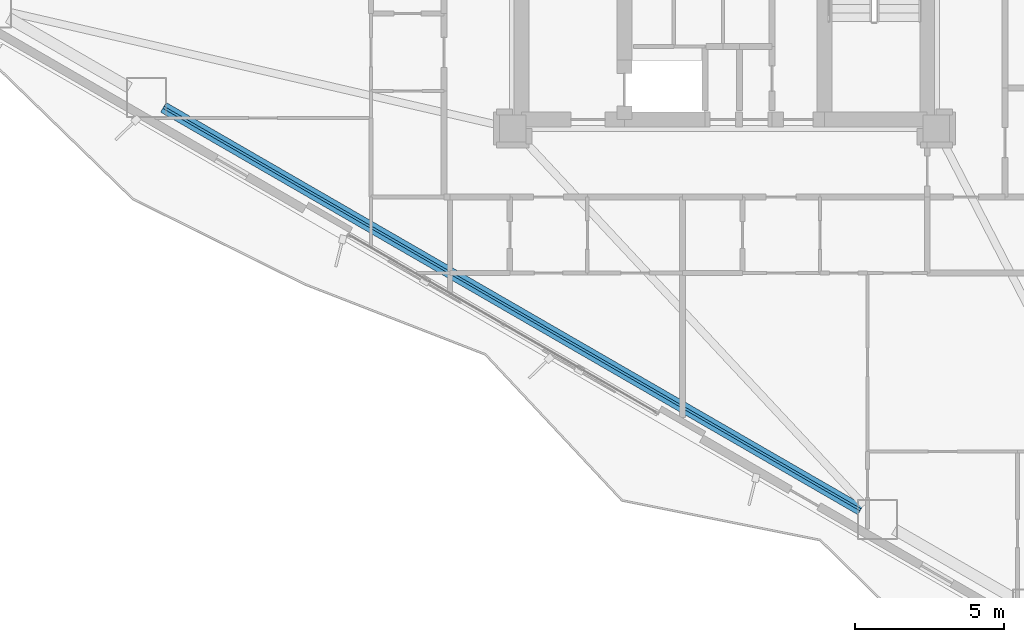
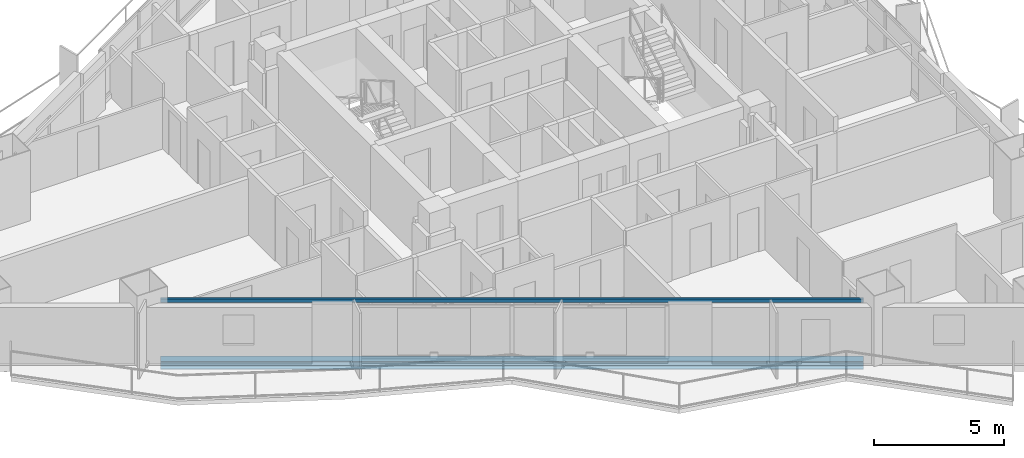
# One storey, part 3 of 18: 2 beams.
"""IFC4 building model written with IfcOpenShell, lengths in metres."""

from ifc_helpers import new_model, si_unit, direction, frame, origin, origin_2d, place, context, subcontext, project, spatial, hollow_rectangle, i_section, extrude, material, material_profile, profile_set, type_object, element, save


model = new_model("IFC4")

# Units and contexts
model_context = context("Model", 3, precision=1e-05, world=origin(), true_north=direction((0.0, 1.0)))
body_context = subcontext(model_context, "Body", "Model", "MODEL_VIEW")
ifc_project = project(units=[si_unit("LENGTHUNIT", "METRE"), si_unit("AREAUNIT", "SQUARE_METRE"), si_unit("VOLUMEUNIT", "CUBIC_METRE"), si_unit("PLANEANGLEUNIT", "RADIAN"), si_unit("MASSUNIT", "GRAM", prefix="KILO")], contexts=[model_context])

# Site, building, storey
site_placement = place(None, origin())
site = spatial("IfcSite", under=ifc_project, at=site_placement, CompositionType="ELEMENT")
building_placement = place(site_placement, origin())
building = spatial("IfcBuilding", under=site, at=building_placement, Name="Mersakhor Tower and Convention Hall", CompositionType="ELEMENT")
storey_placement = place(building_placement, frame((0.0, 0.0, 52.199951171875)))
storey = spatial("IfcBuildingStorey", under=building, at=storey_placement, Name="L14", CompositionType="ELEMENT", Elevation=52.199951171875)

# Beams
ifc_material_1 = material(Name="Steel S355", Category="steel")
ifc_material_profile_1 = material_profile(ifc_material_1, hollow_rectangle(XDim=0.080078125, YDim=0.179931640625, WallThickness=0.008056640625, at=origin_2d()), Name="RHS 180x80x8")
ifc_profile_set_1 = profile_set([ifc_material_profile_1], Name="Steel S355")
beam_type_1 = type_object("IfcBeamType", Name="BM-GRT-RHS180", PredefinedType="USERDEFINED", material=ifc_profile_set_1)
beam_1_placement = place(storey_placement, frame((33.566162109375, 7.6591796875, 2.47998046875), z_axis=(-0.866025970279, 0.499999018801, 0.0), x_axis=(-0.499999018801, -0.866025970279, 0.0)))
element("IfcBeam", 1, at=beam_1_placement, inside=storey, type_object=beam_type_1, Name="L14 Facade Support Girt GRT-F3", ObjectType="GIRT", PredefinedType="USERDEFINED", context=body_context, shape_type="SweptSolid", body=[
    extrude(hollow_rectangle(XDim=0.080078125, YDim=0.179931640625, WallThickness=0.008056640625, at=origin_2d()), origin(), (0.0, 0.0, 1.0), 26.99951171875),
])
ifc_material_2 = material(Name="Steel S355", Category="steel")
ifc_material_profile_2 = material_profile(ifc_material_2, i_section(OverallWidth=0.374755859375, OverallDepth=0.37451171875, WebThickness=0.0166015625, FlangeThickness=0.027099609375, at=origin_2d()), Name="UC 356x368x202")
ifc_profile_set_2 = profile_set([ifc_material_profile_2], Name="Steel S355")
beam_type_2 = type_object("IfcBeamType", Name="BM-SPD-UC356", PredefinedType="SPANDREL", material=ifc_profile_set_2)
beam_2_placement = place(storey_placement, frame((33.566162109375, 7.6591796875, -0.447265625), z_axis=(-0.866025970279, 0.499999018801, 0.0), x_axis=(-0.499999018801, -0.866025970279, 0.0)))
element("IfcBeam", 2, at=beam_2_placement, inside=storey, type_object=beam_type_2, Name="L14 Perimeter Spandrel Beam SPB-10", PredefinedType="SPANDREL", context=body_context, shape_type="SweptSolid", body=[
    extrude(i_section(OverallWidth=0.374755859375, OverallDepth=0.37451171875, WebThickness=0.0166015625, FlangeThickness=0.027099609375, at=origin_2d()), origin(), (0.0, 0.0, 1.0), 26.99951171875),
])

save(model, "model.ifc")
